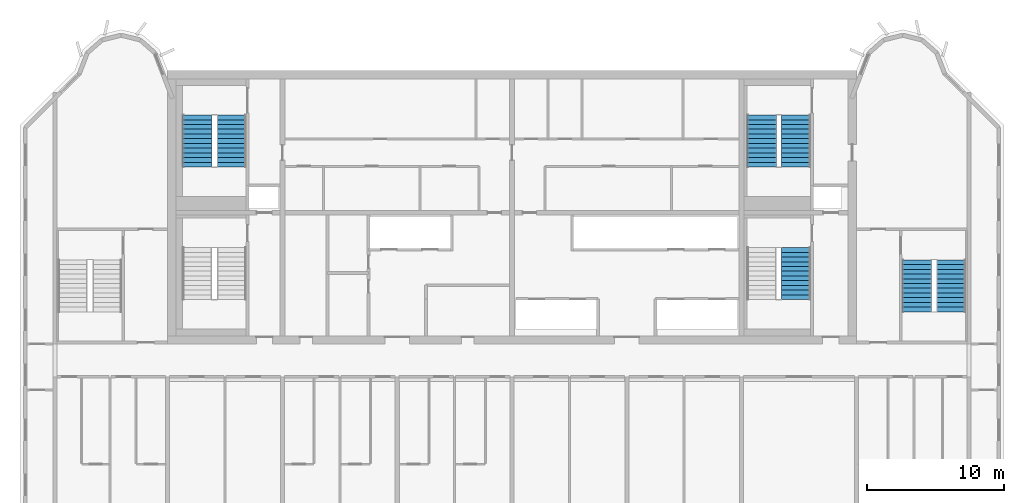
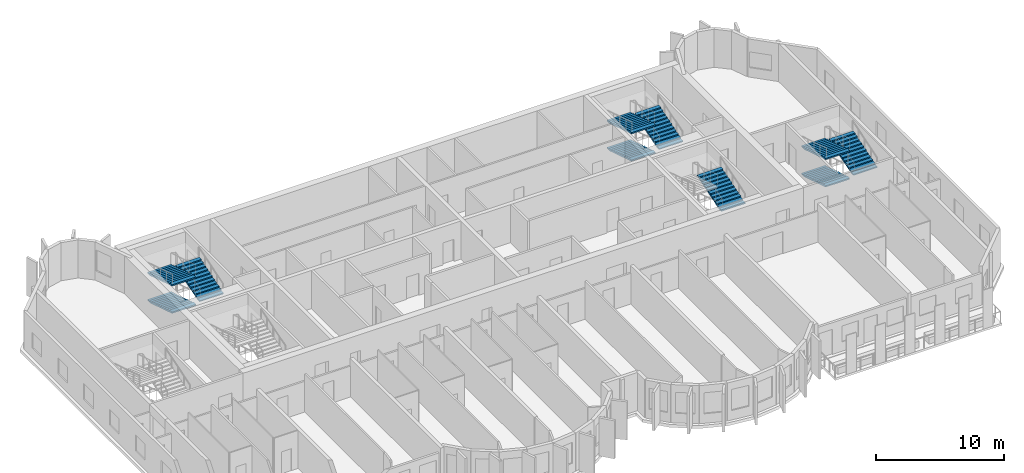
# One storey, part 9 of 11: 10 stair flights, 4 elements without a shape of their own.
"""IFC4 building model written with IfcOpenShell, lengths in metres."""

from ifc_helpers import new_model, si_unit, direction, frame, origin, place, context, subcontext, project, spatial, polyline, outline, extrude, source, transform, mapped, material, type_object, element, aggregate, save


model = new_model("IFC4")

# Units and contexts
model_context = context("Model", 3, precision=1e-05, world=origin(), true_north=direction((0.0, 1.0)))
body_context = subcontext(model_context, "Body", "Model", "MODEL_VIEW")
ifc_project = project(units=[si_unit("LENGTHUNIT", "METRE"), si_unit("AREAUNIT", "SQUARE_METRE"), si_unit("VOLUMEUNIT", "CUBIC_METRE"), si_unit("PLANEANGLEUNIT", "RADIAN"), si_unit("MASSUNIT", "GRAM", prefix="KILO")], contexts=[model_context])

# Site, building, storey
site_placement = place(None, origin())
site = spatial("IfcSite", under=ifc_project, at=site_placement, CompositionType="ELEMENT")
building_placement = place(site_placement, origin())
building = spatial("IfcBuilding", under=site, at=building_placement, Name="Vanashikhar Sky Hotel", CompositionType="ELEMENT")
storey_placement = place(building_placement, frame((0.0, 0.0, 241.300048828125)))
storey = spatial("IfcBuildingStorey", under=building, at=storey_placement, Name="L58", CompositionType="ELEMENT", Elevation=241.300048828125)

# Stair, stair flight
ifc_material = material(Name="Concrete M40", Category="concrete")
stair_type = type_object("IfcStairType", Name="Exit stair 2150", PredefinedType="DOUBLE_RETURN_STAIR", material=ifc_material)
stair_1_placement = place(storey_placement, origin())
stair_1 = element("IfcStair", 1, at=stair_1_placement, inside=storey, type_object=stair_type, Name="L58 Exit stair 2", PredefinedType="DOUBLE_RETURN_STAIR")
stair_flight_type = type_object("IfcStairFlightType", Name="Stair flight 2150", PredefinedType="STRAIGHT", material=ifc_material)
shared_shape = source(origin(), body_context, "Body", "SweptSolid", [
    extrude(outline(polyline([(0.0, 0.0), (0.0, 0.1083984375), (0.345458984375, 0.1083984375), (0.345458984375, 0.216552734375), (0.69091796875, 0.216552734375), (0.69091796875, 0.324951171875), (1.036376953125, 0.324951171875), (1.036376953125, 0.433349609375), (1.3818359375, 0.433349609375), (1.3818359375, 0.541748046875), (1.727294921875, 0.541748046875), (1.727294921875, 0.64990234375), (2.07275390625, 0.64990234375), (2.07275390625, 0.75830078125), (2.418212890625, 0.75830078125), (2.418212890625, 0.86669921875), (2.763671875, 0.86669921875), (2.763671875, 0.97509765625), (3.109130859375, 0.97509765625), (3.109130859375, 1.083251953125), (3.45458984375, 1.083251953125), (3.45458984375, 1.191650390625), (3.800048828125, 1.191650390625), (3.800048828125, 1.300048828125), (3.800048828125, 1.065673828125), (0.4013671875, 0.0), (0.0, 0.0)])), frame((0.0, 1.074951171875, 0.0), z_axis=(0.0, -1.0, 0.0), x_axis=(1.0, 0.0, 0.0)), (0.0, 0.0, 1.0), 2.14990234375),
])
stair_flight_1_placement = place(storey_placement, frame((71.175048828125, 25.25, 1.300048828125), z_axis=(0.0, 0.0, 1.0), x_axis=(0.0, 1.0, 0.0)))
stair_flight_1 = element("IfcStairFlight", 2, at=stair_flight_1_placement, type_object=stair_flight_type, Name="ST-C2 flight 2", NumberOfRisers=12, NumberOfTreads=11, PredefinedType="STRAIGHT", RiserHeight=0.108333333, TreadLength=0.345454545, context=body_context, shape_type="MappedRepresentation", body=[
    mapped(shared_shape, transform((0.0, 0.0, 0.0), scale=1.0)),
])
aggregate(stair_1, [stair_flight_1])

# Stair, stair flights
stair_2_placement = place(storey_placement, origin())
stair_2 = element("IfcStair", 3, at=stair_2_placement, inside=storey, type_object=stair_type, Name="L58 Exit stair 4", PredefinedType="DOUBLE_RETURN_STAIR")
stair_flight_2_placement = place(storey_placement, frame((80.02490234375, 28.14990234375, 0.0), z_axis=(0.0, 0.0, 1.0), x_axis=(0.0, -1.0, 0.0)))
stair_flight_2 = element("IfcStairFlight", 4, at=stair_flight_2_placement, type_object=stair_flight_type, Name="ST-E flight 1", NumberOfRisers=12, NumberOfTreads=11, PredefinedType="STRAIGHT", RiserHeight=0.108333333, TreadLength=0.345454545, context=body_context, shape_type="MappedRepresentation", body=[
    mapped(shared_shape, transform((0.0, 0.0, 0.0), scale=1.0)),
])
stair_flight_3_placement = place(storey_placement, frame((82.52490234375, 24.35009765625, 1.300048828125), z_axis=(0.0, 0.0, 1.0), x_axis=(0.0, 1.0, 0.0)))
stair_flight_3 = element("IfcStairFlight", 5, at=stair_flight_3_placement, type_object=stair_flight_type, Name="ST-E flight 2", NumberOfRisers=12, NumberOfTreads=11, PredefinedType="STRAIGHT", RiserHeight=0.108333333, TreadLength=0.345454545, context=body_context, shape_type="MappedRepresentation", body=[
    mapped(shared_shape, transform((0.0, 0.0, 0.0), scale=1.0)),
])
stair_flight_4_placement = place(storey_placement, frame((80.02490234375, 28.14990234375, 2.599853515625), z_axis=(0.0, 0.0, 1.0), x_axis=(0.0, -1.0, 0.0)))
stair_flight_4 = element("IfcStairFlight", 6, at=stair_flight_4_placement, type_object=stair_flight_type, Name="ST-E flight 3", NumberOfRisers=12, NumberOfTreads=11, PredefinedType="STRAIGHT", RiserHeight=0.108333333, TreadLength=0.345454545, context=body_context, shape_type="MappedRepresentation", body=[
    mapped(shared_shape, transform((0.0, 0.0, 0.0), scale=1.0)),
])
aggregate(stair_2, [stair_flight_2, stair_flight_3, stair_flight_4])

stair_3_placement = place(storey_placement, origin())
stair_3 = element("IfcStair", 7, at=stair_3_placement, inside=storey, type_object=stair_type, Name="L58 Exit stair 5", PredefinedType="DOUBLE_RETURN_STAIR")
stair_flight_5_placement = place(storey_placement, frame((27.375, 38.75, 0.0), z_axis=(0.0, 0.0, 1.0), x_axis=(0.0, -1.0, 0.0)))
stair_flight_5 = element("IfcStairFlight", 8, at=stair_flight_5_placement, type_object=stair_flight_type, Name="ST-C3 flight 1", NumberOfRisers=12, NumberOfTreads=11, PredefinedType="STRAIGHT", RiserHeight=0.108333333, TreadLength=0.345454545, context=body_context, shape_type="MappedRepresentation", body=[
    mapped(shared_shape, transform((0.0, 0.0, 0.0), scale=1.0)),
])
stair_flight_6_placement = place(storey_placement, frame((29.875, 34.949951171875, 1.300048828125), z_axis=(0.0, 0.0, 1.0), x_axis=(0.0, 1.0, 0.0)))
stair_flight_6 = element("IfcStairFlight", 9, at=stair_flight_6_placement, type_object=stair_flight_type, Name="ST-C3 flight 2", NumberOfRisers=12, NumberOfTreads=11, PredefinedType="STRAIGHT", RiserHeight=0.108333333, TreadLength=0.345454545, context=body_context, shape_type="MappedRepresentation", body=[
    mapped(shared_shape, transform((0.0, 0.0, 0.0), scale=1.0)),
])
stair_flight_7_placement = place(storey_placement, frame((27.375, 38.75, 2.599853515625), z_axis=(0.0, 0.0, 1.0), x_axis=(0.0, -1.0, 0.0)))
stair_flight_7 = element("IfcStairFlight", 10, at=stair_flight_7_placement, type_object=stair_flight_type, Name="ST-C3 flight 3", NumberOfRisers=12, NumberOfTreads=11, PredefinedType="STRAIGHT", RiserHeight=0.108333333, TreadLength=0.345454545, context=body_context, shape_type="MappedRepresentation", body=[
    mapped(shared_shape, transform((0.0, 0.0, 0.0), scale=1.0)),
])
aggregate(stair_3, [stair_flight_5, stair_flight_6, stair_flight_7])

stair_4_placement = place(storey_placement, origin())
stair_4 = element("IfcStair", 11, at=stair_4_placement, inside=storey, type_object=stair_type, Name="L58 Exit stair 6", PredefinedType="DOUBLE_RETURN_STAIR")
stair_flight_8_placement = place(storey_placement, frame((68.675048828125, 38.75, 0.0), z_axis=(0.0, 0.0, 1.0), x_axis=(0.0, -1.0, 0.0)))
stair_flight_8 = element("IfcStairFlight", 12, at=stair_flight_8_placement, type_object=stair_flight_type, Name="ST-C4 flight 1", NumberOfRisers=12, NumberOfTreads=11, PredefinedType="STRAIGHT", RiserHeight=0.108333333, TreadLength=0.345454545, context=body_context, shape_type="MappedRepresentation", body=[
    mapped(shared_shape, transform((0.0, 0.0, 0.0), scale=1.0)),
])
stair_flight_9_placement = place(storey_placement, frame((71.175048828125, 34.949951171875, 1.300048828125), z_axis=(0.0, 0.0, 1.0), x_axis=(0.0, 1.0, 0.0)))
stair_flight_9 = element("IfcStairFlight", 13, at=stair_flight_9_placement, type_object=stair_flight_type, Name="ST-C4 flight 2", NumberOfRisers=12, NumberOfTreads=11, PredefinedType="STRAIGHT", RiserHeight=0.108333333, TreadLength=0.345454545, context=body_context, shape_type="MappedRepresentation", body=[
    mapped(shared_shape, transform((0.0, 0.0, 0.0), scale=1.0)),
])
stair_flight_10_placement = place(storey_placement, frame((68.675048828125, 38.75, 2.599853515625), z_axis=(0.0, 0.0, 1.0), x_axis=(0.0, -1.0, 0.0)))
stair_flight_10 = element("IfcStairFlight", 14, at=stair_flight_10_placement, type_object=stair_flight_type, Name="ST-C4 flight 3", NumberOfRisers=12, NumberOfTreads=11, PredefinedType="STRAIGHT", RiserHeight=0.108333333, TreadLength=0.345454545, context=body_context, shape_type="MappedRepresentation", body=[
    mapped(shared_shape, transform((0.0, 0.0, 0.0), scale=1.0)),
])
aggregate(stair_4, [stair_flight_8, stair_flight_9, stair_flight_10])

save(model, "model.ifc")
